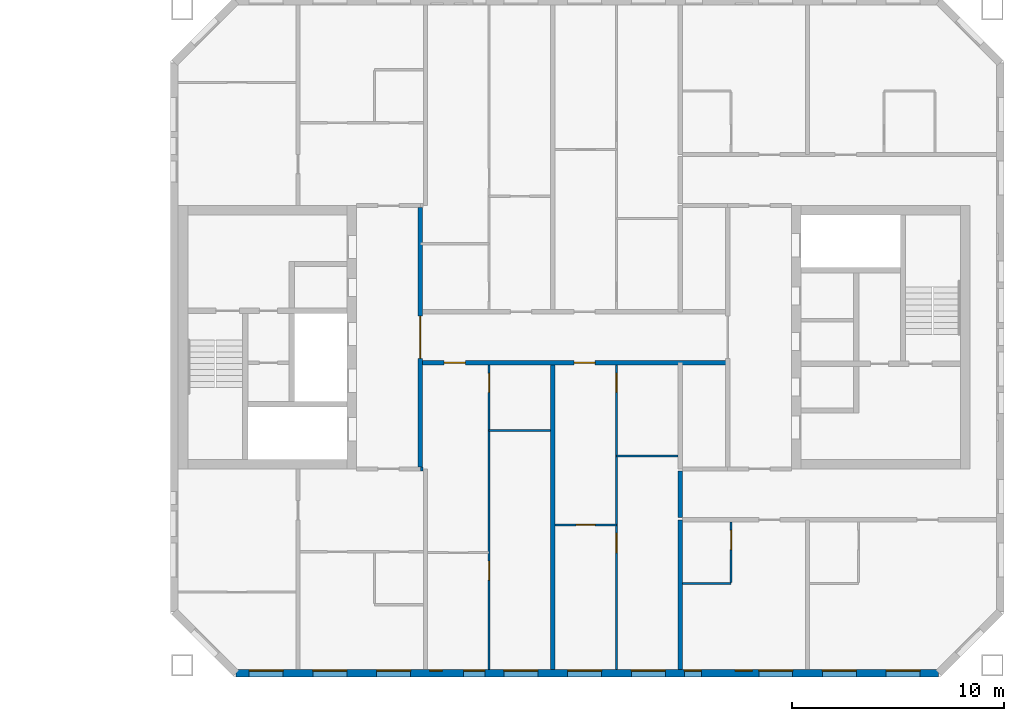
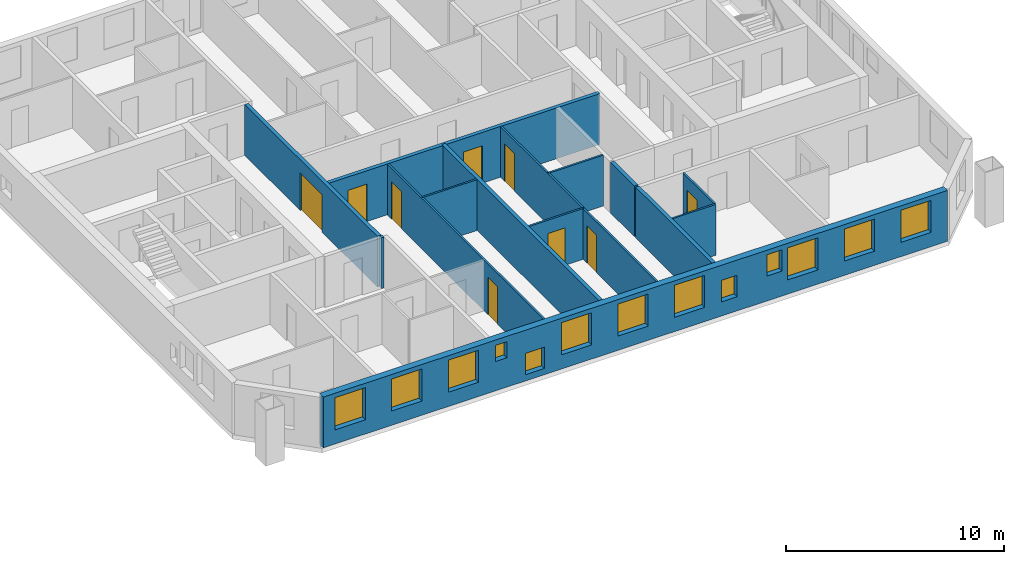
# One storey, part 9 of 15: 14 walls, 13 windows, 9 doors, 22 openings.
"""IFC4 building model written with IfcOpenShell, lengths in metres."""

from ifc_helpers import new_model, si_unit, direction, frame, frame_2d, origin, place, context, subcontext, project, spatial, rectangle, extrude, material, layer, layer_set, type_object, element, fill, save


model = new_model("IFC4")

# Units and contexts
model_context = context("Model", 3, precision=1e-05, world=origin(), true_north=direction((0.0, 1.0)))
body_context = subcontext(model_context, "Body", "Model", "MODEL_VIEW")
ifc_project = project(units=[si_unit("LENGTHUNIT", "METRE"), si_unit("AREAUNIT", "SQUARE_METRE"), si_unit("VOLUMEUNIT", "CUBIC_METRE"), si_unit("PLANEANGLEUNIT", "RADIAN"), si_unit("MASSUNIT", "GRAM", prefix="KILO")], contexts=[model_context])

# Site, building, storey
site_placement = place(None, origin())
site = spatial("IfcSite", under=ifc_project, at=site_placement, CompositionType="ELEMENT")
building_placement = place(site_placement, origin())
building = spatial("IfcBuilding", under=site, at=building_placement, Name="Tuart Gate Housing", CompositionType="ELEMENT")
storey_placement = place(building_placement, frame((0.0, 0.0, 185.10009765625)))
storey = spatial("IfcBuildingStorey", under=building, at=storey_placement, Name="L52", CompositionType="ELEMENT", Elevation=185.10009765625)

# Wall, openings, windows
ifc_material_1 = material(Name="Brick", Category="masonry")
ifc_layer_1 = layer(ifc_material_1, 0.360107421875)
ifc_layer_set_1 = layer_set([ifc_layer_1], Name="Brick pier and spandrel wall 360")
wall_type_1 = type_object("IfcWallType", Name="Brick pier and spandrel wall 360", PredefinedType="STANDARD", material=ifc_layer_set_1)
wall_1_placement = place(storey_placement, frame((134.07470703125, 54.179931640625, 0.0), z_axis=(0.0, 0.0, 1.0), x_axis=(1.0, 0.0, 0.0)))
wall_1 = element("IfcWall", 1, at=wall_1_placement, inside=storey, type_object=wall_type_1, Name="External wall B-S L52", PredefinedType="STANDARD", context=body_context, shape_type="SweptSolid", body=[
    extrude(rectangle(XDim=33.100830078125, YDim=0.360107421875, at=frame_2d((16.55029296875, 0.0))), origin(), (0.0, 0.0, 1.0), 2.849853515625),
])
opening_1_placement = place(wall_1_placement, frame((0.62548828125, 0.0, 0.800048828125)))
opening_1 = element("IfcOpeningElement", 2, at=opening_1_placement, cuts=wall_1, Name="Opening W1", PredefinedType="OPENING", context=body_context, shape_type="SweptSolid", body=[
    extrude(rectangle(XDim=1.60009765625, YDim=1.800048828125, at=frame_2d((0.800048828125, 0.89990234375))), frame((0.0, 0.18994140625, 0.0), z_axis=(0.0, -1.0, 0.0), x_axis=(1.0, 0.0, 0.0)), (0.0, 0.0, 1.0), 0.380126953125),
])
opening_2_placement = place(wall_1_placement, frame((3.62548828125, 0.0, 0.800048828125)))
opening_2 = element("IfcOpeningElement", 3, at=opening_2_placement, cuts=wall_1, Name="Opening W1", PredefinedType="OPENING", context=body_context, shape_type="SweptSolid", body=[
    extrude(rectangle(XDim=1.60009765625, YDim=1.800048828125, at=frame_2d((0.800048828125, 0.89990234375))), frame((0.0, 0.18994140625, 0.0), z_axis=(0.0, -1.0, 0.0), x_axis=(1.0, 0.0, 0.0)), (0.0, 0.0, 1.0), 0.380126953125),
])
opening_3_placement = place(wall_1_placement, frame((6.62548828125, 0.0, 0.800048828125)))
opening_3 = element("IfcOpeningElement", 4, at=opening_3_placement, cuts=wall_1, Name="Opening W1", PredefinedType="OPENING", context=body_context, shape_type="SweptSolid", body=[
    extrude(rectangle(XDim=1.60009765625, YDim=1.800048828125, at=frame_2d((0.800048828125, 0.89990234375))), frame((0.0, 0.18994140625, 0.0), z_axis=(0.0, -1.0, 0.0), x_axis=(1.0, 0.0, 0.0)), (0.0, 0.0, 1.0), 0.380126953125),
])
opening_4_placement = place(wall_1_placement, frame((9.12548828125, 0.0, 1.64990234375)))
opening_4 = element("IfcOpeningElement", 5, at=opening_4_placement, cuts=wall_1, Name="Opening W1W", PredefinedType="OPENING", context=body_context, shape_type="SweptSolid", body=[
    extrude(rectangle(XDim=0.60009765625, YDim=0.89990234375, at=frame_2d((0.300048828125, 0.449951171875))), frame((0.0, 0.18994140625, 0.0), z_axis=(0.0, -1.0, 0.0), x_axis=(1.0, 0.0, 0.0)), (0.0, 0.0, 1.0), 0.380126953125),
])
opening_5_placement = place(wall_1_placement, frame((12.62548828125, 0.0, 0.800048828125)))
opening_5 = element("IfcOpeningElement", 6, at=opening_5_placement, cuts=wall_1, Name="Opening W1", PredefinedType="OPENING", context=body_context, shape_type="SweptSolid", body=[
    extrude(rectangle(XDim=1.60009765625, YDim=1.800048828125, at=frame_2d((0.800048828125, 0.89990234375))), frame((0.0, 0.18994140625, 0.0), z_axis=(0.0, -1.0, 0.0), x_axis=(1.0, 0.0, 0.0)), (0.0, 0.0, 1.0), 0.380126953125),
])
opening_6_placement = place(wall_1_placement, frame((15.62548828125, 0.0, 0.800048828125)))
opening_6 = element("IfcOpeningElement", 7, at=opening_6_placement, cuts=wall_1, Name="Opening W1", PredefinedType="OPENING", context=body_context, shape_type="SweptSolid", body=[
    extrude(rectangle(XDim=1.60009765625, YDim=1.800048828125, at=frame_2d((0.800048828125, 0.89990234375))), frame((0.0, 0.18994140625, 0.0), z_axis=(0.0, -1.0, 0.0), x_axis=(1.0, 0.0, 0.0)), (0.0, 0.0, 1.0), 0.380126953125),
])
opening_7_placement = place(wall_1_placement, frame((18.62548828125, 0.0, 0.800048828125)))
opening_7 = element("IfcOpeningElement", 8, at=opening_7_placement, cuts=wall_1, Name="Opening W1", PredefinedType="OPENING", context=body_context, shape_type="SweptSolid", body=[
    extrude(rectangle(XDim=1.60009765625, YDim=1.800048828125, at=frame_2d((0.800048828125, 0.89990234375))), frame((0.0, 0.18994140625, 0.0), z_axis=(0.0, -1.0, 0.0), x_axis=(1.0, 0.0, 0.0)), (0.0, 0.0, 1.0), 0.380126953125),
])
opening_8_placement = place(wall_1_placement, frame((21.12548828125, 0.0, 0.800048828125)))
opening_8 = element("IfcOpeningElement", 9, at=opening_8_placement, cuts=wall_1, Name="Opening W1P", PredefinedType="OPENING", context=body_context, shape_type="SweptSolid", body=[
    extrude(rectangle(XDim=0.800048828125, YDim=1.199951171875, at=frame_2d((0.39990234375, 0.60009765625))), frame((0.0, 0.18994140625, 0.0), z_axis=(0.0, -1.0, 0.0), x_axis=(1.0, 0.0, 0.0)), (0.0, 0.0, 1.0), 0.380126953125),
])
opening_9_placement = place(wall_1_placement, frame((24.62548828125, 0.0, 0.800048828125)))
opening_9 = element("IfcOpeningElement", 10, at=opening_9_placement, cuts=wall_1, Name="Opening W1", PredefinedType="OPENING", context=body_context, shape_type="SweptSolid", body=[
    extrude(rectangle(XDim=1.60009765625, YDim=1.800048828125, at=frame_2d((0.800048828125, 0.89990234375))), frame((0.0, 0.18994140625, 0.0), z_axis=(0.0, -1.0, 0.0), x_axis=(1.0, 0.0, 0.0)), (0.0, 0.0, 1.0), 0.380126953125),
])
opening_10_placement = place(wall_1_placement, frame((27.62548828125, 0.0, 0.800048828125)))
opening_10 = element("IfcOpeningElement", 11, at=opening_10_placement, cuts=wall_1, Name="Opening W1", PredefinedType="OPENING", context=body_context, shape_type="SweptSolid", body=[
    extrude(rectangle(XDim=1.60009765625, YDim=1.800048828125, at=frame_2d((0.800048828125, 0.89990234375))), frame((0.0, 0.18994140625, 0.0), z_axis=(0.0, -1.0, 0.0), x_axis=(1.0, 0.0, 0.0)), (0.0, 0.0, 1.0), 0.380126953125),
])
opening_11_placement = place(wall_1_placement, frame((30.62548828125, 0.0, 0.800048828125)))
opening_11 = element("IfcOpeningElement", 12, at=opening_11_placement, cuts=wall_1, Name="Opening W1", PredefinedType="OPENING", context=body_context, shape_type="SweptSolid", body=[
    extrude(rectangle(XDim=1.60009765625, YDim=1.800048828125, at=frame_2d((0.800048828125, 0.89990234375))), frame((0.0, 0.18994140625, 0.0), z_axis=(0.0, -1.0, 0.0), x_axis=(1.0, 0.0, 0.0)), (0.0, 0.0, 1.0), 0.380126953125),
])
opening_12_placement = place(wall_1_placement, frame((10.725341796875, 0.0, 0.35009765625)))
opening_12 = element("IfcOpeningElement", 13, at=opening_12_placement, cuts=wall_1, Name="Opening W1O", PredefinedType="OPENING", context=body_context, shape_type="SweptSolid", body=[
    extrude(rectangle(XDim=1.0, YDim=1.199951171875, at=frame_2d((0.5, 0.60009765625))), frame((0.0, 0.18994140625, 0.0), z_axis=(0.0, -1.0, 0.0), x_axis=(1.0, 0.0, 0.0)), (0.0, 0.0, 1.0), 0.380126953125),
])
opening_13_placement = place(wall_1_placement, frame((23.525390625, 0.0, 1.39990234375)))
opening_13 = element("IfcOpeningElement", 14, at=opening_13_placement, cuts=wall_1, Name="Opening W1P", PredefinedType="OPENING", context=body_context, shape_type="SweptSolid", body=[
    extrude(rectangle(XDim=0.800048828125, YDim=1.199951171875, at=frame_2d((0.39990234375, 0.60009765625))), frame((0.0, 0.18994140625, 0.0), z_axis=(0.0, -1.0, 0.0), x_axis=(1.0, 0.0, 0.0)), (0.0, 0.0, 1.0), 0.380126953125),
])
ifc_material_2 = material(Name="Aluminium frame with clear glass", Category="aluminium")
window_type_1 = type_object("IfcWindowType", Name="Punched window 1000 x 1200", PartitioningType="SINGLE_PANEL", PredefinedType="WINDOW", material=ifc_material_2)
window_1_placement = place(opening_12_placement, origin())
window_1 = element("IfcWindow", 15, at=window_1_placement, inside=storey, type_object=window_type_1, Name="Window W1O", OverallHeight=1.199951171875, OverallWidth=1.0, PartitioningType="SINGLE_PANEL", PredefinedType="WINDOW", context=body_context, shape_type="SweptSolid", body=[
    extrude(rectangle(XDim=1.0, YDim=1.199951171875, at=frame_2d((0.5, 0.60009765625))), frame((0.0, 0.150146484375, 0.0), z_axis=(0.0, -1.0, 0.0), x_axis=(1.0, 0.0, 0.0)), (0.0, 0.0, 1.0), 0.06005859375),
])
fill(opening_12, window_1)
ifc_material_3 = material(Name="Aluminium frame with clear glass", Category="aluminium")
window_type_2 = type_object("IfcWindowType", Name="Punched window 1600 x 1800", PartitioningType="SINGLE_PANEL", PredefinedType="WINDOW", material=ifc_material_3)
window_2_placement = place(opening_1_placement, origin())
window_2 = element("IfcWindow", 16, at=window_2_placement, inside=storey, type_object=window_type_2, Name="Window W1", OverallHeight=1.800048828125, OverallWidth=1.60009765625, PartitioningType="SINGLE_PANEL", PredefinedType="WINDOW", context=body_context, shape_type="SweptSolid", body=[
    extrude(rectangle(XDim=1.60009765625, YDim=1.800048828125, at=frame_2d((0.800048828125, 0.89990234375))), frame((0.0, 0.150146484375, 0.0), z_axis=(0.0, -1.0, 0.0), x_axis=(1.0, 0.0, 0.0)), (0.0, 0.0, 1.0), 0.06005859375),
])
fill(opening_1, window_2)
window_3_placement = place(opening_2_placement, origin())
window_3 = element("IfcWindow", 17, at=window_3_placement, inside=storey, type_object=window_type_2, Name="Window W1", OverallHeight=1.800048828125, OverallWidth=1.60009765625, PartitioningType="SINGLE_PANEL", PredefinedType="WINDOW", context=body_context, shape_type="SweptSolid", body=[
    extrude(rectangle(XDim=1.60009765625, YDim=1.800048828125, at=frame_2d((0.800048828125, 0.89990234375))), frame((0.0, 0.150146484375, 0.0), z_axis=(0.0, -1.0, 0.0), x_axis=(1.0, 0.0, 0.0)), (0.0, 0.0, 1.0), 0.06005859375),
])
fill(opening_2, window_3)
window_4_placement = place(opening_3_placement, origin())
window_4 = element("IfcWindow", 18, at=window_4_placement, inside=storey, type_object=window_type_2, Name="Window W1", OverallHeight=1.800048828125, OverallWidth=1.60009765625, PartitioningType="SINGLE_PANEL", PredefinedType="WINDOW", context=body_context, shape_type="SweptSolid", body=[
    extrude(rectangle(XDim=1.60009765625, YDim=1.800048828125, at=frame_2d((0.800048828125, 0.89990234375))), frame((0.0, 0.150146484375, 0.0), z_axis=(0.0, -1.0, 0.0), x_axis=(1.0, 0.0, 0.0)), (0.0, 0.0, 1.0), 0.06005859375),
])
fill(opening_3, window_4)
window_5_placement = place(opening_5_placement, origin())
window_5 = element("IfcWindow", 19, at=window_5_placement, inside=storey, type_object=window_type_2, Name="Window W1", OverallHeight=1.800048828125, OverallWidth=1.60009765625, PartitioningType="SINGLE_PANEL", PredefinedType="WINDOW", context=body_context, shape_type="SweptSolid", body=[
    extrude(rectangle(XDim=1.60009765625, YDim=1.800048828125, at=frame_2d((0.800048828125, 0.89990234375))), frame((0.0, 0.150146484375, 0.0), z_axis=(0.0, -1.0, 0.0), x_axis=(1.0, 0.0, 0.0)), (0.0, 0.0, 1.0), 0.06005859375),
])
fill(opening_5, window_5)
window_6_placement = place(opening_6_placement, origin())
window_6 = element("IfcWindow", 20, at=window_6_placement, inside=storey, type_object=window_type_2, Name="Window W1", OverallHeight=1.800048828125, OverallWidth=1.60009765625, PartitioningType="SINGLE_PANEL", PredefinedType="WINDOW", context=body_context, shape_type="SweptSolid", body=[
    extrude(rectangle(XDim=1.60009765625, YDim=1.800048828125, at=frame_2d((0.800048828125, 0.89990234375))), frame((0.0, 0.150146484375, 0.0), z_axis=(0.0, -1.0, 0.0), x_axis=(1.0, 0.0, 0.0)), (0.0, 0.0, 1.0), 0.06005859375),
])
fill(opening_6, window_6)
window_7_placement = place(opening_7_placement, origin())
window_7 = element("IfcWindow", 21, at=window_7_placement, inside=storey, type_object=window_type_2, Name="Window W1", OverallHeight=1.800048828125, OverallWidth=1.60009765625, PartitioningType="SINGLE_PANEL", PredefinedType="WINDOW", context=body_context, shape_type="SweptSolid", body=[
    extrude(rectangle(XDim=1.60009765625, YDim=1.800048828125, at=frame_2d((0.800048828125, 0.89990234375))), frame((0.0, 0.150146484375, 0.0), z_axis=(0.0, -1.0, 0.0), x_axis=(1.0, 0.0, 0.0)), (0.0, 0.0, 1.0), 0.06005859375),
])
fill(opening_7, window_7)
window_8_placement = place(opening_9_placement, origin())
window_8 = element("IfcWindow", 22, at=window_8_placement, inside=storey, type_object=window_type_2, Name="Window W1", OverallHeight=1.800048828125, OverallWidth=1.60009765625, PartitioningType="SINGLE_PANEL", PredefinedType="WINDOW", context=body_context, shape_type="SweptSolid", body=[
    extrude(rectangle(XDim=1.60009765625, YDim=1.800048828125, at=frame_2d((0.800048828125, 0.89990234375))), frame((0.0, 0.150146484375, 0.0), z_axis=(0.0, -1.0, 0.0), x_axis=(1.0, 0.0, 0.0)), (0.0, 0.0, 1.0), 0.06005859375),
])
fill(opening_9, window_8)
window_9_placement = place(opening_10_placement, origin())
window_9 = element("IfcWindow", 23, at=window_9_placement, inside=storey, type_object=window_type_2, Name="Window W1", OverallHeight=1.800048828125, OverallWidth=1.60009765625, PartitioningType="SINGLE_PANEL", PredefinedType="WINDOW", context=body_context, shape_type="SweptSolid", body=[
    extrude(rectangle(XDim=1.60009765625, YDim=1.800048828125, at=frame_2d((0.800048828125, 0.89990234375))), frame((0.0, 0.150146484375, 0.0), z_axis=(0.0, -1.0, 0.0), x_axis=(1.0, 0.0, 0.0)), (0.0, 0.0, 1.0), 0.06005859375),
])
fill(opening_10, window_9)
window_10_placement = place(opening_11_placement, origin())
window_10 = element("IfcWindow", 24, at=window_10_placement, inside=storey, type_object=window_type_2, Name="Window W1", OverallHeight=1.800048828125, OverallWidth=1.60009765625, PartitioningType="SINGLE_PANEL", PredefinedType="WINDOW", context=body_context, shape_type="SweptSolid", body=[
    extrude(rectangle(XDim=1.60009765625, YDim=1.800048828125, at=frame_2d((0.800048828125, 0.89990234375))), frame((0.0, 0.150146484375, 0.0), z_axis=(0.0, -1.0, 0.0), x_axis=(1.0, 0.0, 0.0)), (0.0, 0.0, 1.0), 0.06005859375),
])
fill(opening_11, window_10)
ifc_material_4 = material(Name="Aluminium frame with clear glass", Category="aluminium")
window_type_3 = type_object("IfcWindowType", Name="Punched window 600 x 900", PartitioningType="SINGLE_PANEL", PredefinedType="WINDOW", material=ifc_material_4)
window_11_placement = place(opening_4_placement, origin())
window_11 = element("IfcWindow", 25, at=window_11_placement, inside=storey, type_object=window_type_3, Name="Window W1W", OverallHeight=0.89990234375, OverallWidth=0.60009765625, PartitioningType="SINGLE_PANEL", PredefinedType="WINDOW", context=body_context, shape_type="SweptSolid", body=[
    extrude(rectangle(XDim=0.60009765625, YDim=0.89990234375, at=frame_2d((0.300048828125, 0.449951171875))), frame((0.0, 0.150146484375, 0.0), z_axis=(0.0, -1.0, 0.0), x_axis=(1.0, 0.0, 0.0)), (0.0, 0.0, 1.0), 0.06005859375),
])
fill(opening_4, window_11)
ifc_material_5 = material(Name="Aluminium frame with clear glass", Category="aluminium")
window_type_4 = type_object("IfcWindowType", Name="Punched window 800 x 1200", PartitioningType="SINGLE_PANEL", PredefinedType="WINDOW", material=ifc_material_5)
window_12_placement = place(opening_8_placement, origin())
window_12 = element("IfcWindow", 26, at=window_12_placement, inside=storey, type_object=window_type_4, Name="Window W1P", OverallHeight=1.199951171875, OverallWidth=0.800048828125, PartitioningType="SINGLE_PANEL", PredefinedType="WINDOW", context=body_context, shape_type="SweptSolid", body=[
    extrude(rectangle(XDim=0.800048828125, YDim=1.199951171875, at=frame_2d((0.39990234375, 0.60009765625))), frame((0.0, 0.150146484375, 0.0), z_axis=(0.0, -1.0, 0.0), x_axis=(1.0, 0.0, 0.0)), (0.0, 0.0, 1.0), 0.06005859375),
])
fill(opening_8, window_12)
window_13_placement = place(opening_13_placement, origin())
window_13 = element("IfcWindow", 27, at=window_13_placement, inside=storey, type_object=window_type_4, Name="Window W1P", OverallHeight=1.199951171875, OverallWidth=0.800048828125, PartitioningType="SINGLE_PANEL", PredefinedType="WINDOW", context=body_context, shape_type="SweptSolid", body=[
    extrude(rectangle(XDim=0.800048828125, YDim=1.199951171875, at=frame_2d((0.39990234375, 0.60009765625))), frame((0.0, 0.150146484375, 0.0), z_axis=(0.0, -1.0, 0.0), x_axis=(1.0, 0.0, 0.0)), (0.0, 0.0, 1.0), 0.06005859375),
])
fill(opening_13, window_13)

# Wall, openings, doors
ifc_material_6 = material(Name="Concrete masonry 15 MPa", Category="masonry")
ifc_layer_2 = layer(ifc_material_6, 0.199951171875)
ifc_layer_set_2 = layer_set([ifc_layer_2], Name="Corridor wall masonry 200")
wall_type_2 = type_object("IfcWallType", Name="Corridor wall masonry 200", PredefinedType="PARTITIONING", material=ifc_layer_set_2)
wall_2_placement = place(storey_placement, frame((142.760009765625, 68.800048828125, 0.0), z_axis=(0.0, 0.0, 1.0), x_axis=(1.0, 0.0, 0.0)))
wall_2 = element("IfcWall", 28, at=wall_2_placement, inside=storey, type_object=wall_type_2, Name="Corridor wall masonry 200", PredefinedType="PARTITIONING", context=body_context, shape_type="SweptSolid", body=[
    extrude(rectangle(XDim=14.47998046875, YDim=0.199951171875, at=frame_2d((7.239990234375, 0.0))), origin(), (0.0, 0.0, 1.0), 2.849853515625),
])
opening_14_placement = place(wall_2_placement, frame((1.1201171875, 0.0, 0.0)))
opening_14 = element("IfcOpeningElement", 29, at=opening_14_placement, cuts=wall_2, Name="Opening D1926", PredefinedType="OPENING", context=body_context, shape_type="SweptSolid", body=[
    extrude(rectangle(XDim=1.0, YDim=2.10009765625, at=frame_2d((0.5, 1.050048828125))), frame((0.0, 0.10986328125, 0.0), z_axis=(0.0, -1.0, 0.0), x_axis=(1.0, 0.0, 0.0)), (0.0, 0.0, 1.0), 0.219970703125),
])
opening_15_placement = place(wall_2_placement, frame((7.239990234375, 0.0, 0.0)))
opening_15 = element("IfcOpeningElement", 30, at=opening_15_placement, cuts=wall_2, Name="Opening D1927", PredefinedType="OPENING", context=body_context, shape_type="SweptSolid", body=[
    extrude(rectangle(XDim=1.0, YDim=2.10009765625, at=frame_2d((0.5, 1.050048828125))), frame((0.0, 0.10986328125, 0.0), z_axis=(0.0, -1.0, 0.0), x_axis=(1.0, 0.0, 0.0)), (0.0, 0.0, 1.0), 0.219970703125),
])
ifc_material_7 = material(Name="Timber door leaf in steel frame", Category="steel")
door_type_1 = type_object("IfcDoorType", Name="Flat entrance door 1000 RH", OperationType="SINGLE_SWING_RIGHT", PredefinedType="DOOR", material=ifc_material_7)
door_1_placement = place(opening_14_placement, frame((1.0, 0.0, 0.0), z_axis=(0.0, 0.0, 1.0), x_axis=(-1.0, 0.0, 0.0)))
door_1 = element("IfcDoor", 31, at=door_1_placement, inside=storey, type_object=door_type_1, Name="Flat entrance door", OperationType="SINGLE_SWING_RIGHT", OverallHeight=2.10009765625, OverallWidth=1.0, PredefinedType="DOOR", context=body_context, shape_type="SweptSolid", body=[
    extrude(rectangle(XDim=1.0, YDim=2.10009765625, at=frame_2d((0.5, 1.050048828125))), frame((0.0, 0.025146484375, 0.0), z_axis=(0.0, -1.0, 0.0), x_axis=(1.0, 0.0, 0.0)), (0.0, 0.0, 1.0), 0.050048828125),
])
fill(opening_14, door_1)
door_2_placement = place(opening_15_placement, frame((1.0, 0.0, 0.0), z_axis=(0.0, 0.0, 1.0), x_axis=(-1.0, 0.0, 0.0)))
door_2 = element("IfcDoor", 32, at=door_2_placement, inside=storey, type_object=door_type_1, Name="Flat entrance door", OperationType="SINGLE_SWING_RIGHT", OverallHeight=2.10009765625, OverallWidth=1.0, PredefinedType="DOOR", context=body_context, shape_type="SweptSolid", body=[
    extrude(rectangle(XDim=1.0, YDim=2.10009765625, at=frame_2d((0.5, 1.050048828125))), frame((0.0, 0.025146484375, 0.0), z_axis=(0.0, -1.0, 0.0), x_axis=(1.0, 0.0, 0.0)), (0.0, 0.0, 1.0), 0.050048828125),
])
fill(opening_15, door_2)

# Wall
wall_3_placement = place(storey_placement, frame((155.0, 61.5, 0.0), z_axis=(0.0, 0.0, 1.0), x_axis=(0.0, 1.0, 0.0)))
element("IfcWall", 33, at=wall_3_placement, inside=storey, type_object=wall_type_2, Name="Corridor wall masonry 200", PredefinedType="PARTITIONING", context=body_context, shape_type="SweptSolid", body=[
    extrude(rectangle(XDim=2.199951171875, YDim=0.199951171875, at=frame_2d((1.10009765625, 0.0))), origin(), (0.0, 0.0, 1.0), 2.849853515625),
])

# Wall, opening, door
ifc_material_8 = material(Name="Plasterboard partition")
ifc_layer_3 = layer(ifc_material_8, 0.199951171875)
ifc_layer_set_3 = layer_set([ifc_layer_3], Name="Lobby wall 200")
wall_type_3 = type_object("IfcWallType", Name="Lobby wall 200", PredefinedType="PARTITIONING", material=ifc_layer_set_3)
wall_4_placement = place(storey_placement, frame((142.760009765625, 63.89990234375, 0.0), z_axis=(0.0, 0.0, 1.0), x_axis=(0.0, 1.0, 0.0)))
wall_4 = element("IfcWall", 34, at=wall_4_placement, inside=storey, type_object=wall_type_3, Name="Lift lobby wall BG", PredefinedType="PARTITIONING", context=body_context, shape_type="SweptSolid", body=[
    extrude(rectangle(XDim=12.2001953125, YDim=0.199951171875, at=frame_2d((6.10009765625, 0.0))), origin(), (0.0, 0.0, 1.0), 2.849853515625),
])
opening_16_placement = place(wall_4_placement, frame((5.10009765625, 0.0, 0.0)))
opening_16 = element("IfcOpeningElement", 35, at=opening_16_placement, cuts=wall_4, Name="Opening D1919", PredefinedType="OPENING", context=body_context, shape_type="SweptSolid", body=[
    extrude(rectangle(XDim=2.0, YDim=2.10009765625, at=frame_2d((1.0, 1.050048828125))), frame((0.0, 0.10986328125, 0.0), z_axis=(0.0, -1.0, 0.0), x_axis=(1.0, 0.0, 0.0)), (0.0, 0.0, 1.0), 0.219970703125),
])
ifc_material_9 = material(Name="Steel fire door", Category="steel")
door_type_2 = type_object("IfcDoorType", Name="Smoke door 2000 x 2100", OperationType="DOUBLE_DOOR_SINGLE_SWING", PredefinedType="DOOR", material=ifc_material_9)
door_3_placement = place(opening_16_placement, origin())
door_3 = element("IfcDoor", 36, at=door_3_placement, inside=storey, type_object=door_type_2, Name="Lift lobby smoke door BG", OperationType="DOUBLE_DOOR_SINGLE_SWING", OverallHeight=2.10009765625, OverallWidth=2.0, PredefinedType="DOOR", context=body_context, shape_type="SweptSolid", body=[
    extrude(rectangle(XDim=2.0, YDim=2.10009765625, at=frame_2d((1.0, 1.050048828125))), frame((0.0, 0.02490234375, 0.0), z_axis=(0.0, -1.0, 0.0), x_axis=(1.0, 0.0, 0.0)), (0.0, 0.0, 1.0), 0.050048828125),
])
fill(opening_16, door_3)

# Wall
ifc_material_10 = material(Name="Gypsum board on steel studs", Category="steel")
ifc_layer_4 = layer(ifc_material_10, 0.10009765625)
ifc_layer_set_4 = layer_set([ifc_layer_4], Name="Partition 100")
wall_type_4 = type_object("IfcWallType", Name="Partition 100", PredefinedType="PARTITIONING", material=ifc_layer_set_4)
wall_5_placement = place(storey_placement, frame((155.10009765625, 58.39990234375, 0.0), z_axis=(0.0, 0.0, 1.0), x_axis=(1.0, 0.0, 0.0)))
element("IfcWall", 37, at=wall_5_placement, inside=storey, type_object=wall_type_4, Name="Partition 100", PredefinedType="PARTITIONING", context=body_context, shape_type="SweptSolid", body=[
    extrude(rectangle(XDim=2.2998046875, YDim=0.10009765625, at=frame_2d((1.14990234375, 0.0))), origin(), (0.0, 0.0, 1.0), 2.849853515625),
])

# Wall, opening, door
wall_6_placement = place(storey_placement, frame((149.10009765625, 61.159912109375, 0.0), z_axis=(0.0, 0.0, 1.0), x_axis=(1.0, 0.0, 0.0)))
wall_6 = element("IfcWall", 38, at=wall_6_placement, inside=storey, type_object=wall_type_4, Name="Partition 100", PredefinedType="PARTITIONING", context=body_context, shape_type="SweptSolid", body=[
    extrude(rectangle(XDim=2.89990234375, YDim=0.10009765625, at=frame_2d((1.449951171875, 0.0))), origin(), (0.0, 0.0, 1.0), 2.849853515625),
])
opening_17_placement = place(wall_6_placement, frame((1.0, 0.0, 0.0)))
opening_17 = element("IfcOpeningElement", 39, at=opening_17_placement, cuts=wall_6, Name="Opening D1938", PredefinedType="OPENING", context=body_context, shape_type="SweptSolid", body=[
    extrude(rectangle(XDim=0.89990234375, YDim=2.10009765625, at=frame_2d((0.449951171875, 1.050048828125))), frame((0.0, 0.06005859375, 0.0), z_axis=(0.0, -1.0, 0.0), x_axis=(1.0, 0.0, 0.0)), (0.0, 0.0, 1.0), 0.1201171875),
])
ifc_material_11 = material(Name="Timber door leaf in steel frame", Category="steel")
door_type_3 = type_object("IfcDoorType", Name="Internal door 900 RH", OperationType="SINGLE_SWING_RIGHT", PredefinedType="DOOR", material=ifc_material_11)
door_4_placement = place(opening_17_placement, origin())
door_4 = element("IfcDoor", 40, at=door_4_placement, inside=storey, type_object=door_type_3, Name="Internal door", OperationType="SINGLE_SWING_RIGHT", OverallHeight=2.10009765625, OverallWidth=0.89990234375, PredefinedType="DOOR", context=body_context, shape_type="SweptSolid", body=[
    extrude(rectangle(XDim=0.89990234375, YDim=2.10009765625, at=frame_2d((0.449951171875, 1.050048828125))), frame((0.0, 0.02490234375, 0.0), z_axis=(0.0, -1.0, 0.0), x_axis=(1.0, 0.0, 0.0)), (0.0, 0.0, 1.0), 0.050048828125),
])
fill(opening_17, door_4)

# Walls
for number, where, z_axis, x_axis, name in (
    (41, (152.0, 64.39990234375, 0.0), (0.0, 0.0, 1.0), (1.0, 0.0, 0.0), "Partition 100"),
    (42, (146.0, 65.60009765625, 0.0), (0.0, 0.0, 1.0), (1.0, 0.0, 0.0), "Partition 100"),
):
    element("IfcWall", number, at=place(storey_placement, frame(where, z_axis=z_axis, x_axis=x_axis)), inside=storey, type_object=wall_type_4, Name=name, PredefinedType="PARTITIONING", context=body_context, shape_type="SweptSolid", body=[
        extrude(rectangle(XDim=2.89990234375, YDim=0.10009765625, at=frame_2d((1.449951171875, 0.0))), origin(), (0.0, 0.0, 1.0), 2.849853515625),
    ])

# Wall, openings, doors
wall_7_placement = place(storey_placement, frame((146.0, 54.360107421875, 0.0), z_axis=(0.0, 0.0, 1.0), x_axis=(0.0, 1.0, 0.0)))
wall_7 = element("IfcWall", 43, at=wall_7_placement, inside=storey, type_object=wall_type_4, Name="Partition 100", PredefinedType="PARTITIONING", context=body_context, shape_type="SweptSolid", body=[
    extrude(rectangle(XDim=14.33984375, YDim=0.10009765625, at=frame_2d((7.169921875, 0.0))), origin(), (0.0, 0.0, 1.0), 2.849853515625),
])
opening_18_placement = place(wall_7_placement, frame((4.199951171875, 0.0, 0.0)))
opening_18 = element("IfcOpeningElement", 44, at=opening_18_placement, cuts=wall_7, Name="Opening D1933", PredefinedType="OPENING", context=body_context, shape_type="SweptSolid", body=[
    extrude(rectangle(XDim=0.89990234375, YDim=2.10009765625, at=frame_2d((0.449951171875, 1.050048828125))), frame((0.0, 0.06005859375, 0.0), z_axis=(0.0, -1.0, 0.0), x_axis=(1.0, 0.0, 0.0)), (0.0, 0.0, 1.0), 0.1201171875),
])
opening_19_placement = place(wall_7_placement, frame((13.0400390625, 0.0, 0.0)))
opening_19 = element("IfcOpeningElement", 45, at=opening_19_placement, cuts=wall_7, Name="Opening D1932", PredefinedType="OPENING", context=body_context, shape_type="SweptSolid", body=[
    extrude(rectangle(XDim=0.89990234375, YDim=2.10009765625, at=frame_2d((0.449951171875, 1.050048828125))), frame((0.0, 0.06005859375, 0.0), z_axis=(0.0, -1.0, 0.0), x_axis=(1.0, 0.0, 0.0)), (0.0, 0.0, 1.0), 0.1201171875),
])
ifc_material_12 = material(Name="Timber door leaf in steel frame", Category="steel")
door_type_4 = type_object("IfcDoorType", Name="Bathroom door 900", OperationType="SINGLE_SWING_LEFT", PredefinedType="DOOR", material=ifc_material_12)
door_5_placement = place(opening_19_placement, frame((0.89990234375, 0.0, 0.0), z_axis=(0.0, 0.0, 1.0), x_axis=(-1.0, 0.0, 0.0)))
door_5 = element("IfcDoor", 46, at=door_5_placement, inside=storey, type_object=door_type_4, Name="Bathroom door", OperationType="SINGLE_SWING_LEFT", OverallHeight=2.10009765625, OverallWidth=0.89990234375, PredefinedType="DOOR", context=body_context, shape_type="SweptSolid", body=[
    extrude(rectangle(XDim=0.89990234375, YDim=2.10009765625, at=frame_2d((0.449951171875, 1.050048828125))), frame((0.0, 0.025146484375, 0.0), z_axis=(0.0, -1.0, 0.0), x_axis=(1.0, 0.0, 0.0)), (0.0, 0.0, 1.0), 0.050048828125),
])
fill(opening_19, door_5)
door_6_placement = place(opening_18_placement, frame((0.89990234375, 0.0, 0.0), z_axis=(0.0, 0.0, 1.0), x_axis=(-1.0, 0.0, 0.0)))
door_6 = element("IfcDoor", 47, at=door_6_placement, inside=storey, type_object=door_type_3, Name="Internal door", OperationType="SINGLE_SWING_RIGHT", OverallHeight=2.10009765625, OverallWidth=0.89990234375, PredefinedType="DOOR", context=body_context, shape_type="SweptSolid", body=[
    extrude(rectangle(XDim=0.89990234375, YDim=2.10009765625, at=frame_2d((0.449951171875, 1.050048828125))), frame((0.0, 0.025146484375, 0.0), z_axis=(0.0, -1.0, 0.0), x_axis=(1.0, 0.0, 0.0)), (0.0, 0.0, 1.0), 0.050048828125),
])
fill(opening_18, door_6)

wall_8_placement = place(storey_placement, frame((152.0, 54.360107421875, 0.0), z_axis=(0.0, 0.0, 1.0), x_axis=(0.0, 1.0, 0.0)))
wall_8 = element("IfcWall", 48, at=wall_8_placement, inside=storey, type_object=wall_type_4, Name="Partition 100", PredefinedType="PARTITIONING", context=body_context, shape_type="SweptSolid", body=[
    extrude(rectangle(XDim=14.33984375, YDim=0.10009765625, at=frame_2d((7.169921875, 0.0))), origin(), (0.0, 0.0, 1.0), 2.849853515625),
])
opening_20_placement = place(wall_8_placement, frame((5.5, 0.0, 0.0)))
opening_20 = element("IfcOpeningElement", 49, at=opening_20_placement, cuts=wall_8, Name="Opening D1935", PredefinedType="OPENING", context=body_context, shape_type="SweptSolid", body=[
    extrude(rectangle(XDim=0.89990234375, YDim=2.10009765625, at=frame_2d((0.449951171875, 1.050048828125))), frame((0.0, 0.06005859375, 0.0), z_axis=(0.0, -1.0, 0.0), x_axis=(1.0, 0.0, 0.0)), (0.0, 0.0, 1.0), 0.1201171875),
])
opening_21_placement = place(wall_8_placement, frame((13.0400390625, 0.0, 0.0)))
opening_21 = element("IfcOpeningElement", 50, at=opening_21_placement, cuts=wall_8, Name="Opening D1934", PredefinedType="OPENING", context=body_context, shape_type="SweptSolid", body=[
    extrude(rectangle(XDim=0.89990234375, YDim=2.10009765625, at=frame_2d((0.449951171875, 1.050048828125))), frame((0.0, 0.06005859375, 0.0), z_axis=(0.0, -1.0, 0.0), x_axis=(1.0, 0.0, 0.0)), (0.0, 0.0, 1.0), 0.1201171875),
])
door_7_placement = place(opening_21_placement, frame((0.89990234375, 0.0, 0.0), z_axis=(0.0, 0.0, 1.0), x_axis=(-1.0, 0.0, 0.0)))
door_7 = element("IfcDoor", 51, at=door_7_placement, inside=storey, type_object=door_type_4, Name="Bathroom door", OperationType="SINGLE_SWING_LEFT", OverallHeight=2.10009765625, OverallWidth=0.89990234375, PredefinedType="DOOR", context=body_context, shape_type="SweptSolid", body=[
    extrude(rectangle(XDim=0.89990234375, YDim=2.10009765625, at=frame_2d((0.449951171875, 1.050048828125))), frame((0.0, 0.025146484375, 0.0), z_axis=(0.0, -1.0, 0.0), x_axis=(1.0, 0.0, 0.0)), (0.0, 0.0, 1.0), 0.050048828125),
])
fill(opening_21, door_7)
ifc_material_13 = material(Name="Timber door leaf in steel frame", Category="steel")
door_type_5 = type_object("IfcDoorType", Name="Internal door 900", OperationType="SINGLE_SWING_LEFT", PredefinedType="DOOR", material=ifc_material_13)
door_8_placement = place(opening_20_placement, frame((0.89990234375, 0.0, 0.0), z_axis=(0.0, 0.0, 1.0), x_axis=(-1.0, 0.0, 0.0)))
door_8 = element("IfcDoor", 52, at=door_8_placement, inside=storey, type_object=door_type_5, Name="Internal door", OperationType="SINGLE_SWING_LEFT", OverallHeight=2.10009765625, OverallWidth=0.89990234375, PredefinedType="DOOR", context=body_context, shape_type="SweptSolid", body=[
    extrude(rectangle(XDim=0.89990234375, YDim=2.10009765625, at=frame_2d((0.449951171875, 1.050048828125))), frame((0.0, 0.025146484375, 0.0), z_axis=(0.0, -1.0, 0.0), x_axis=(1.0, 0.0, 0.0)), (0.0, 0.0, 1.0), 0.050048828125),
])
fill(opening_20, door_8)

# Wall, opening, door
wall_9_placement = place(storey_placement, frame((157.39990234375, 58.449951171875, 0.0), z_axis=(0.0, 0.0, 1.0), x_axis=(0.0, 1.0, 0.0)))
wall_9 = element("IfcWall", 53, at=wall_9_placement, inside=storey, type_object=wall_type_4, Name="Partition 100", PredefinedType="PARTITIONING", context=body_context, shape_type="SweptSolid", body=[
    extrude(rectangle(XDim=2.85009765625, YDim=0.10009765625, at=frame_2d((1.425048828125, 0.0))), origin(), (0.0, 0.0, 1.0), 2.849853515625),
])
opening_22_placement = place(wall_9_placement, frame((1.550048828125, 0.0, 0.0)))
opening_22 = element("IfcOpeningElement", 54, at=opening_22_placement, cuts=wall_9, Name="Opening D1941", PredefinedType="OPENING", context=body_context, shape_type="SweptSolid", body=[
    extrude(rectangle(XDim=0.89990234375, YDim=2.10009765625, at=frame_2d((0.449951171875, 1.050048828125))), frame((0.0, 0.06005859375, 0.0), z_axis=(0.0, -1.0, 0.0), x_axis=(1.0, 0.0, 0.0)), (0.0, 0.0, 1.0), 0.1201171875),
])
ifc_material_14 = material(Name="Timber door leaf in steel frame", Category="steel")
door_type_6 = type_object("IfcDoorType", Name="Bathroom door 900 RH", OperationType="SINGLE_SWING_RIGHT", PredefinedType="DOOR", material=ifc_material_14)
door_9_placement = place(opening_22_placement, origin())
door_9 = element("IfcDoor", 55, at=door_9_placement, inside=storey, type_object=door_type_6, Name="Bathroom door", OperationType="SINGLE_SWING_RIGHT", OverallHeight=2.10009765625, OverallWidth=0.89990234375, PredefinedType="DOOR", context=body_context, shape_type="SweptSolid", body=[
    extrude(rectangle(XDim=0.89990234375, YDim=2.10009765625, at=frame_2d((0.449951171875, 1.050048828125))), frame((0.0, 0.02490234375, 0.0), z_axis=(0.0, -1.0, 0.0), x_axis=(1.0, 0.0, 0.0)), (0.0, 0.0, 1.0), 0.050048828125),
])
fill(opening_22, door_9)

# Walls
ifc_material_15 = material(Name="Concrete C40", Category="concrete")
ifc_layer_5 = layer(ifc_material_15, 0.199951171875)
ifc_layer_set_5 = layer_set([ifc_layer_5], Name="Party wall concrete C40 200")
wall_type_5 = type_object("IfcWallType", Name="Party wall concrete C40 200", PredefinedType="SOLIDWALL", material=ifc_layer_set_5)
wall_10_placement = place(storey_placement, frame((149.0, 54.360107421875, 0.0), z_axis=(0.0, 0.0, 1.0), x_axis=(0.0, 1.0, 0.0)))
element("IfcWall", 56, at=wall_10_placement, inside=storey, type_object=wall_type_5, Name="Party wall concrete C40 200", PredefinedType="SOLIDWALL", context=body_context, shape_type="SweptSolid", body=[
    extrude(rectangle(XDim=14.43994140625, YDim=0.199951171875, at=frame_2d((7.219970703125, 0.0))), origin(), (0.0, 0.0, 1.0), 2.849853515625),
])
wall_11_placement = place(storey_placement, frame((155.0, 54.360107421875, 0.0), z_axis=(0.0, 0.0, 1.0), x_axis=(0.0, 1.0, 0.0)))
element("IfcWall", 57, at=wall_11_placement, inside=storey, type_object=wall_type_5, Name="Party wall concrete C40 200", PredefinedType="SOLIDWALL", context=body_context, shape_type="SweptSolid", body=[
    extrude(rectangle(XDim=7.039794921875, YDim=0.199951171875, at=frame_2d((3.52001953125, 0.0))), origin(), (0.0, 0.0, 1.0), 2.849853515625),
])
ifc_material_16 = material(Name="Concrete masonry 15 MPa", Category="masonry")
ifc_layer_6 = layer(ifc_material_16, 0.199951171875)
ifc_layer_set_6 = layer_set([ifc_layer_6], Name="Party wall masonry 200")
wall_type_6 = type_object("IfcWallType", Name="Party wall masonry 200", PredefinedType="PARTITIONING", material=ifc_layer_set_6)
wall_12_placement = place(storey_placement, frame((142.760009765625, 63.800048828125, 0.0), z_axis=(0.0, 0.0, 1.0), x_axis=(1.0, 0.0, 0.0)))
element("IfcWall", 58, at=wall_12_placement, inside=storey, type_object=wall_type_6, Name="Party wall masonry 200", PredefinedType="PARTITIONING", context=body_context, shape_type="SweptSolid", body=[
    extrude(rectangle(XDim=0.139892578125, YDim=0.199951171875, at=frame_2d((0.06982421875, 0.0))), origin(), (0.0, 0.0, 1.0), 2.849853515625),
])

save(model, "model.ifc")
